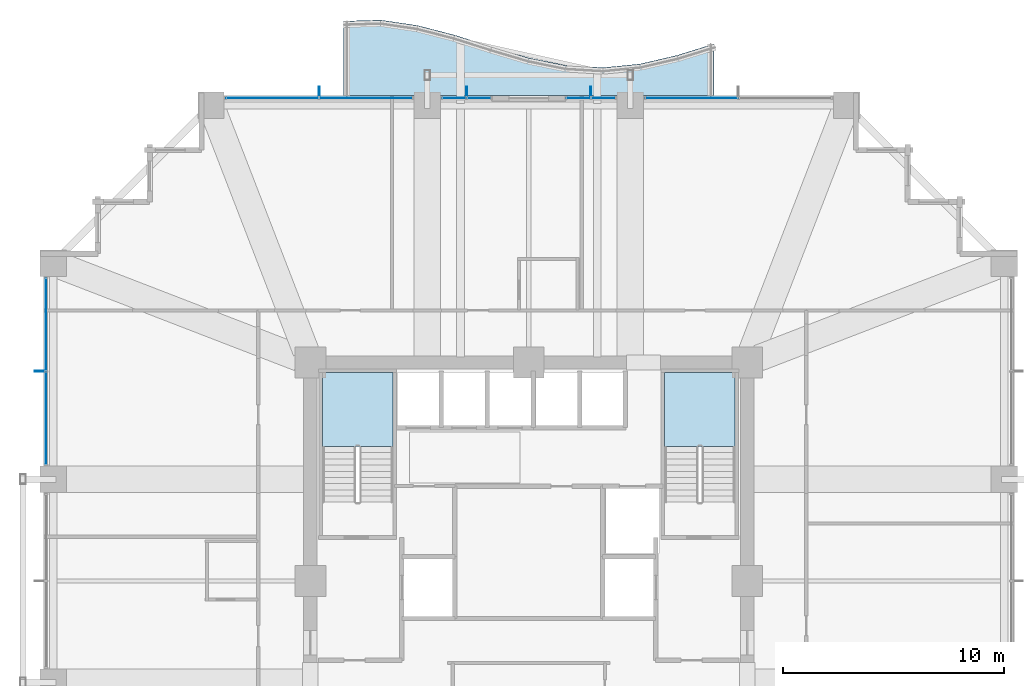
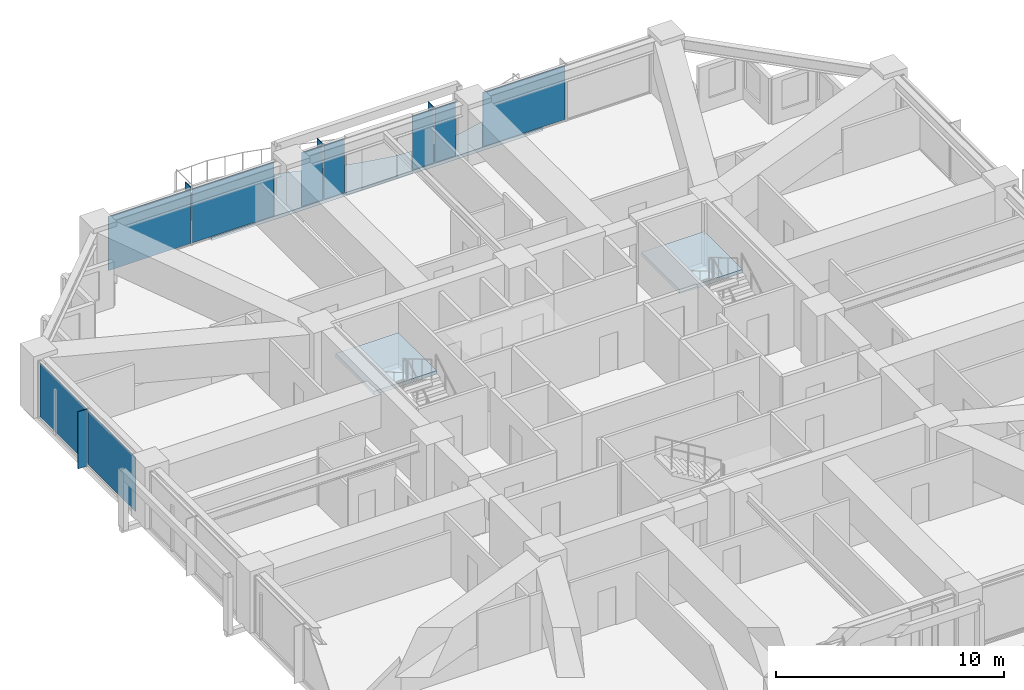
# One storey, part 29 of 37: 13 plates, 3 slabs, 7 elements without a shape of their own.
"""IFC4 building model written with IfcOpenShell, lengths in metres."""

from ifc_helpers import new_model, si_unit, direction, frame, origin, origin_2d, place, context, subcontext, project, spatial, polyline, rectangle, outline, extrude, material, layer, layer_set, type_object, element, aggregate, save


model = new_model("IFC4")

# Units and contexts
model_context = context("Model", 3, precision=1e-05, world=origin(), true_north=direction((0.0, 1.0)))
body_context = subcontext(model_context, "Body", "Model", "MODEL_VIEW")
ifc_project = project(units=[si_unit("LENGTHUNIT", "METRE"), si_unit("AREAUNIT", "SQUARE_METRE"), si_unit("VOLUMEUNIT", "CUBIC_METRE"), si_unit("PLANEANGLEUNIT", "RADIAN"), si_unit("MASSUNIT", "GRAM", prefix="KILO")], contexts=[model_context])

# Site, building, storey
site_placement = place(None, origin())
site = spatial("IfcSite", under=ifc_project, at=site_placement, CompositionType="ELEMENT")
building_placement = place(site_placement, origin())
building = spatial("IfcBuilding", under=site, at=building_placement, Name="Kolvaren Belvedere", CompositionType="ELEMENT")
storey_placement = place(building_placement, frame((0.0, 0.0, 56.800048828125)))
storey = spatial("IfcBuildingStorey", under=building, at=storey_placement, Name="L16", CompositionType="ELEMENT", Elevation=56.800048828125)

# Curtain wall, plates
ifc_material_1 = material(Name="Anodised pale-metal aluminium AA 6063-T6", Category="aluminium")
curtain_wall_type = type_object("IfcCurtainWallType", Name="CW-Z1-LOW", PredefinedType="NOTDEFINED", material=ifc_material_1)
curtain_wall_1_placement = place(storey_placement, origin())
curtain_wall_1 = element("IfcCurtainWall", 1, at=curtain_wall_1_placement, inside=storey, type_object=curtain_wall_type, Name="L16 Unitised Curtain Wall FCW-L16-N1-B1", PredefinedType="NOTDEFINED")
ifc_material_2 = material(Name="Low-iron triple insulated glass", Category="glass")
ifc_layer_1 = layer(ifc_material_2, 0.028076171875)
ifc_layer_set_1 = layer_set([ifc_layer_1], Name="Low-iron triple insulated glass")
plate_type_1 = type_object("IfcPlateType", Name="CW-PNL-VIS28", PredefinedType="CURTAIN_PANEL", material=ifc_layer_set_1)
plate_1_placement = place(storey_placement, frame((-11.62255859375, 21.8798828125, 0.080078125), z_axis=(0.0, 0.0, 1.0), x_axis=(1.0, 0.0, 0.0)))
plate_1 = element("IfcPlate", 2, at=plate_1_placement, type_object=plate_type_1, Name="FCW-L16-N1-B1 Vision Glazing Panel 1", PredefinedType="CURTAIN_PANEL", context=body_context, shape_type="SweptSolid", body=[
    extrude(rectangle(XDim=4.1650390625, YDim=0.028076171875, at=origin_2d()), origin(), (0.0, 0.0, 1.0), 2.89990234375),
])
plate_2_placement = place(storey_placement, frame((-7.37744140625, 21.8798828125, 0.080078125), z_axis=(0.0, 0.0, 1.0), x_axis=(1.0, 0.0, 0.0)))
plate_2 = element("IfcPlate", 3, at=plate_2_placement, type_object=plate_type_1, Name="FCW-L16-N1-B1 Vision Glazing Panel 2", PredefinedType="CURTAIN_PANEL", context=body_context, shape_type="SweptSolid", body=[
    extrude(rectangle(XDim=4.1650390625, YDim=0.028076171875, at=origin_2d()), origin(), (0.0, 0.0, 1.0), 2.89990234375),
])
aggregate(curtain_wall_1, [plate_1, plate_2])

curtain_wall_2_placement = place(storey_placement, origin())
curtain_wall_2 = element("IfcCurtainWall", 4, at=curtain_wall_2_placement, inside=storey, type_object=curtain_wall_type, Name="L16 Unitised Curtain Wall FCW-L16-N1-B2", PredefinedType="NOTDEFINED")
plate_3_placement = place(storey_placement, frame((-3.37890625, 21.8798828125, 0.080078125), z_axis=(0.0, 0.0, 1.0), x_axis=(1.0, 0.0, 0.0)))
plate_3 = element("IfcPlate", 5, at=plate_3_placement, type_object=plate_type_1, Name="FCW-L16-N1-B2 Vision Glazing Panel 1", PredefinedType="CURTAIN_PANEL", context=body_context, shape_type="SweptSolid", body=[
    extrude(rectangle(XDim=1.052490234375, YDim=0.028076171875, at=origin_2d()), origin(), (0.0, 0.0, 1.0), 2.89990234375),
])
plate_4_placement = place(storey_placement, frame((-2.24609375, 21.8798828125, 0.080078125), z_axis=(0.0, 0.0, 1.0), x_axis=(1.0, 0.0, 0.0)))
plate_4 = element("IfcPlate", 6, at=plate_4_placement, type_object=plate_type_1, Name="FCW-L16-N1-B2 Vision Glazing Panel 2", PredefinedType="CURTAIN_PANEL", context=body_context, shape_type="SweptSolid", body=[
    extrude(rectangle(XDim=1.052490234375, YDim=0.028076171875, at=origin_2d()), origin(), (0.0, 0.0, 1.0), 2.89990234375),
])
aggregate(curtain_wall_2, [plate_3, plate_4])

curtain_wall_3_placement = place(storey_placement, origin())
curtain_wall_3 = element("IfcCurtainWall", 7, at=curtain_wall_3_placement, inside=storey, type_object=curtain_wall_type, Name="L16 Unitised Curtain Wall FCW-L16-N2-B1", PredefinedType="NOTDEFINED")
plate_5_placement = place(storey_placement, frame((2.24609375, 21.8798828125, 0.080078125), z_axis=(0.0, 0.0, 1.0), x_axis=(1.0, 0.0, 0.0)))
plate_5 = element("IfcPlate", 8, at=plate_5_placement, type_object=plate_type_1, Name="FCW-L16-N2-B1 Vision Glazing Panel 1", PredefinedType="CURTAIN_PANEL", context=body_context, shape_type="SweptSolid", body=[
    extrude(rectangle(XDim=1.052490234375, YDim=0.028076171875, at=origin_2d()), origin(), (0.0, 0.0, 1.0), 2.89990234375),
])
plate_6_placement = place(storey_placement, frame((3.378662109375, 21.8798828125, 0.080078125), z_axis=(0.0, 0.0, 1.0), x_axis=(1.0, 0.0, 0.0)))
plate_6 = element("IfcPlate", 9, at=plate_6_placement, type_object=plate_type_1, Name="FCW-L16-N2-B1 Vision Glazing Panel 2", PredefinedType="CURTAIN_PANEL", context=body_context, shape_type="SweptSolid", body=[
    extrude(rectangle(XDim=1.052490234375, YDim=0.028076171875, at=origin_2d()), origin(), (0.0, 0.0, 1.0), 2.89990234375),
])
aggregate(curtain_wall_3, [plate_5, plate_6])

# Curtain wall, plate
curtain_wall_4_placement = place(storey_placement, origin())
curtain_wall_4 = element("IfcCurtainWall", 10, at=curtain_wall_4_placement, inside=storey, type_object=curtain_wall_type, Name="L16 Unitised Curtain Wall FCW-L16-N2-B2", PredefinedType="NOTDEFINED")
plate_7_placement = place(storey_placement, frame((7.37744140625, 21.8798828125, 0.080078125), z_axis=(0.0, 0.0, 1.0), x_axis=(1.0, 0.0, 0.0)))
plate_7 = element("IfcPlate", 11, at=plate_7_placement, type_object=plate_type_1, Name="FCW-L16-N2-B2 Vision Glazing Panel 1", PredefinedType="CURTAIN_PANEL", context=body_context, shape_type="SweptSolid", body=[
    extrude(rectangle(XDim=4.1650390625, YDim=0.028076171875, at=origin_2d()), origin(), (0.0, 0.0, 1.0), 2.89990234375),
])
aggregate(curtain_wall_4, [plate_7])

# Curtain wall, plates
curtain_wall_5_placement = place(storey_placement, origin())
curtain_wall_5 = element("IfcCurtainWall", 12, at=curtain_wall_5_placement, inside=storey, type_object=curtain_wall_type, Name="L16 Unitised Curtain Wall FCW-L16-W-B3", PredefinedType="NOTDEFINED")
plate_8_placement = place(storey_placement, frame((-21.8798828125, 7.37744140625, 0.080078125), z_axis=(0.0, 0.0, 1.0), x_axis=(0.0, 1.0, 0.0)))
plate_8 = element("IfcPlate", 13, at=plate_8_placement, type_object=plate_type_1, Name="FCW-L16-W-B3 Vision Glazing Panel 1", PredefinedType="CURTAIN_PANEL", context=body_context, shape_type="SweptSolid", body=[
    extrude(rectangle(XDim=4.1650390625, YDim=0.028076171875, at=origin_2d()), origin(), (0.0, 0.0, 1.0), 2.89990234375),
])
plate_9_placement = place(storey_placement, frame((-21.8798828125, 11.62255859375, 0.080078125), z_axis=(0.0, 0.0, 1.0), x_axis=(0.0, 1.0, 0.0)))
plate_9 = element("IfcPlate", 14, at=plate_9_placement, type_object=plate_type_1, Name="FCW-L16-W-B3 Vision Glazing Panel 2", PredefinedType="CURTAIN_PANEL", context=body_context, shape_type="SweptSolid", body=[
    extrude(rectangle(XDim=4.1650390625, YDim=0.028076171875, at=origin_2d()), origin(), (0.0, 0.0, 1.0), 2.89990234375),
])
aggregate(curtain_wall_5, [plate_8, plate_9])

# Plates
ifc_material_3 = material(Name="Anodised pale-metal aluminium AA 6063-T6", Category="aluminium")
ifc_layer_2 = layer(ifc_material_3, 0.0380859375)
ifc_layer_set_2 = layer_set([ifc_layer_2], Name="Anodised pale-metal aluminium AA 6063-T6")
plate_type_2 = type_object("IfcPlateType", Name="FIN-VERT-450", PredefinedType="USERDEFINED", material=ifc_layer_set_2)
for number, where, z_axis, x_axis, name in (
    (15, (-9.5, 22.1650390625, 0.0), (0.0, 0.0, 1.0), (0.0, 1.0, 0.0), "L16 Pale-Metal Vertical Shading Fin FCW-L16-N1-B1-1"),
    (16, (-2.8125, 22.1650390625, 0.0), (0.0, 0.0, 1.0), (0.0, 1.0, 0.0), "L16 Pale-Metal Vertical Shading Fin FCW-L16-N1-B2-1"),
    (17, (2.8125, 22.1650390625, 0.0), (0.0, 0.0, 1.0), (0.0, 1.0, 0.0), "L16 Pale-Metal Vertical Shading Fin FCW-L16-N2-B1-1"),
    (18, (-22.1650390625, 9.5, 0.0), (0.0, 0.0, 1.0), (1.0, 0.0, 0.0), "L16 Pale-Metal Vertical Shading Fin FCW-L16-W-B3-1"),
):
    element("IfcPlate", number, at=place(storey_placement, frame(where, z_axis=z_axis, x_axis=x_axis)), inside=storey, type_object=plate_type_2, Name=name, ObjectType="VERTICAL FIN", PredefinedType="USERDEFINED", context=body_context, shape_type="SweptSolid", body=[
        extrude(rectangle(XDim=0.449951171875, YDim=0.0380859375, at=origin_2d()), origin(), (0.0, 0.0, 1.0), 3.06005859375),
    ])

# Slab
ifc_material_4 = material(Name="Concrete C50/60", Category="concrete")
ifc_layer_3 = layer(ifc_material_4, 0.179931640625)
ifc_layer_set_3 = layer_set([ifc_layer_3], Name="Concrete C50/60")
slab_type_1 = type_object("IfcSlabType", Name="SL-BAL-180", PredefinedType="FLOOR", material=ifc_layer_set_3)
slab_1_placement = place(storey_placement, frame((0.0, 0.0, -0.239990234375)))
element("IfcSlab", 19, at=slab_1_placement, inside=storey, type_object=slab_type_1, Name="L16 Planted Balcony BAL-N", PredefinedType="FLOOR", context=body_context, shape_type="SweptSolid", body=[
    extrude(outline(polyline([(-8.39990234375, 22.0), (-6.719970703125, 22.0), (-5.0400390625, 22.0), (-3.360107421875, 22.0), (-1.679931640625, 22.0), (0.0, 22.0), (1.679931640625, 22.0), (3.360107421875, 22.0), (5.0400390625, 22.0), (6.719970703125, 22.0), (8.39990234375, 22.0), (8.39990234375, 24.340087890625), (6.719970703125, 23.819580078125), (5.0400390625, 23.427978515625), (3.360107421875, 23.26220703125), (1.679931640625, 23.36279296875), (0.0, 23.705078125), (-1.679931640625, 24.20458984375), (-3.360107421875, 24.737548828125), (-5.0400390625, 25.172119140625), (-6.719970703125, 25.419921875), (-8.39990234375, 25.3671875), (-8.39990234375, 22.0)])), origin(), (0.0, 0.0, 1.0), 0.179931640625),
])

# Stair, slab
ifc_material_5 = material(Name="Concrete C50/60", Category="concrete")
stair_type = type_object("IfcStairType", Name="ST-CORE-1520", PredefinedType="HALF_TURN_STAIR", material=ifc_material_5)
stair_1_placement = place(storey_placement, origin())
stair_1 = element("IfcStair", 20, at=stair_1_placement, inside=storey, type_object=stair_type, Name="L16 Protected Exit Stair ST-1", PredefinedType="HALF_TURN_STAIR")
ifc_material_6 = material(Name="Concrete C50/60", Category="concrete")
ifc_layer_4 = layer(ifc_material_6, 0.260009765625)
ifc_layer_set_4 = layer_set([ifc_layer_4], Name="Concrete C50/60")
slab_type_2 = type_object("IfcSlabType", Name="SL-LAND-260", PredefinedType="LANDING", material=ifc_layer_set_4)
slab_2_placement = place(storey_placement, frame((0.0, 0.0, 1.449951171875)))
slab_2 = element("IfcSlab", 21, at=slab_2_placement, type_object=slab_type_2, Name="ST-1 landing 1", PredefinedType="LANDING", context=body_context, shape_type="SweptSolid", body=[
    extrude(outline(polyline([(-6.159912109375, 6.090087890625), (-6.159912109375, 9.449951171875), (-9.35009765625, 9.449951171875), (-9.35009765625, 6.090087890625), (-6.159912109375, 6.090087890625)])), origin(), (0.0, 0.0, 1.0), 0.199951171875),
])
aggregate(stair_1, [slab_2])

stair_2_placement = place(storey_placement, origin())
stair_2 = element("IfcStair", 22, at=stair_2_placement, inside=storey, type_object=stair_type, Name="L16 Protected Exit Stair ST-2", PredefinedType="HALF_TURN_STAIR")
slab_3_placement = place(storey_placement, frame((0.0, 0.0, 1.449951171875)))
slab_3 = element("IfcSlab", 23, at=slab_3_placement, type_object=slab_type_2, Name="ST-2 landing 1", PredefinedType="LANDING", context=body_context, shape_type="SweptSolid", body=[
    extrude(outline(polyline([(9.35009765625, 6.090087890625), (9.35009765625, 9.449951171875), (6.159912109375, 9.449951171875), (6.159912109375, 6.090087890625), (9.35009765625, 6.090087890625)])), origin(), (0.0, 0.0, 1.0), 0.199951171875),
])
aggregate(stair_2, [slab_3])

save(model, "model.ifc")
